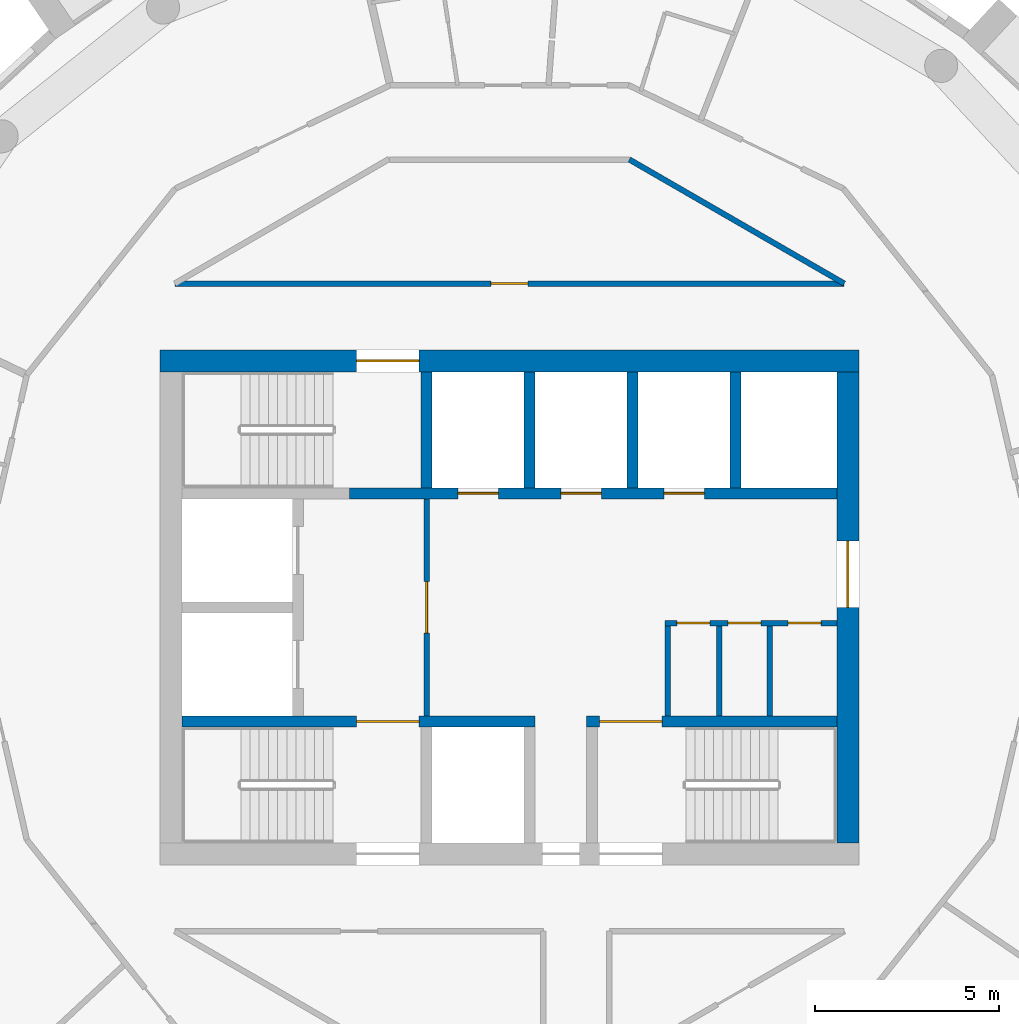
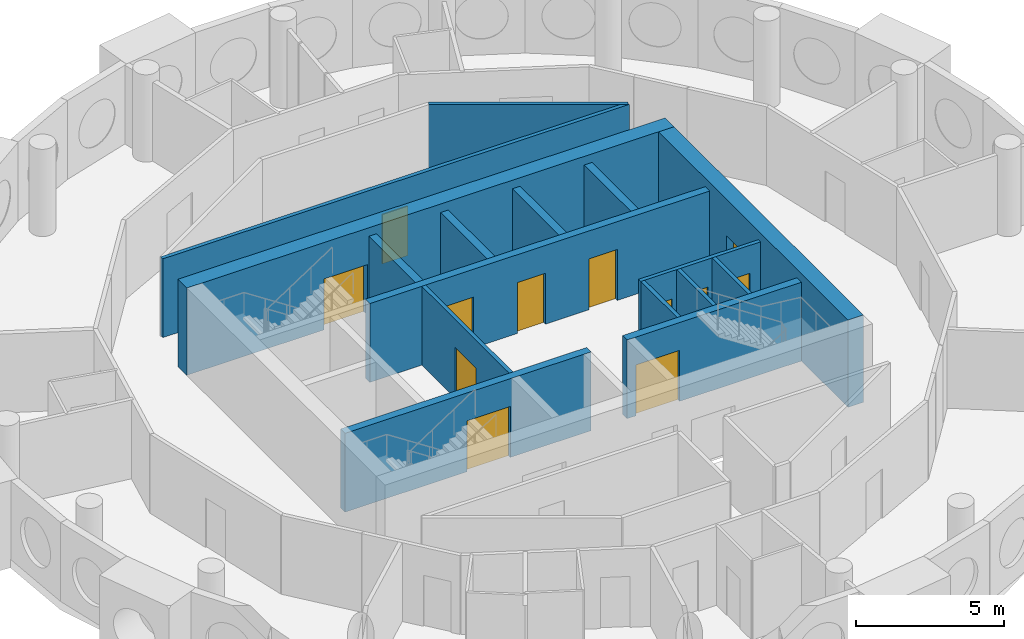
# One storey, part 8 of 13: 16 walls, 12 doors, 12 openings.
"""IFC4 building model written with IfcOpenShell, lengths in metres."""

import ifcopenshell
import ifcopenshell.guid

model = None  # the IFC model being written
_history = None  # IfcOwnerHistory: only IFC2X3 demands one
_inside = {}  # id of a spatial element -> (the spatial element, [elements in it])
_under = {}  # id of a project, library or spatial element -> (it, [spatial elements below it])
_declared = {}  # id of a project -> (the project, [libraries it declares])
_typed = {}  # id of a type object -> (the type object, [elements of that type])
_made_of = {}  # id of a material, layer set ... -> (it, [elements and type objects made of it])


def new_model(schema):
    """Start an empty IFC model of exactly this schema.

    Asked for "IFC4X3", IfcOpenShell would pick the latest addendum, in which some entities
    have other attributes; the version numbers below select the first issue.
    IFC2X3 requires an IfcOwnerHistory on every rooted entity: one is made here for all.
    """
    global model, _history
    if schema == "IFC4X3":
        model = ifcopenshell.file(schema_version=(4, 3, 0, 0))
    else:
        model = ifcopenshell.file(schema=schema)
    _inside.clear()
    _under.clear()
    _declared.clear()
    _typed.clear()
    _made_of.clear()
    _history = None
    if model.schema == "IFC2X3":
        org = make("IfcOrganization", Name="unknown")
        user = make(
            "IfcPersonAndOrganization",
            ThePerson=make("IfcPerson", FamilyName="unknown"),
            TheOrganization=org,
        )
        app = make(
            "IfcApplication",
            ApplicationDeveloper=org,
            Version="unknown",
            ApplicationFullName="unknown",
            ApplicationIdentifier="unknown",
        )
        _history = make(
            "IfcOwnerHistory",
            OwningUser=user,
            OwningApplication=app,
            ChangeAction="ADDED",
            CreationDate=0,
        )
    return model


def make(cls, **values):
    """One entity of the class cls with the attributes given. An attribute that is None is left unset."""
    return model.create_entity(
        cls, **{name: value for name, value in values.items() if value is not None}
    )


def rooted(cls, **values):
    """An entity with a GlobalId (a new one), such as an element, a storey or a relation."""
    return make(cls, GlobalId=ifcopenshell.guid.new(), OwnerHistory=_history, **values)


def si_unit(unit_type, name, prefix=None):
    """IfcSIUnit, for example si_unit("LENGTHUNIT", "METRE", prefix="MILLI")."""
    return make("IfcSIUnit", UnitType=unit_type, Prefix=prefix, Name=name)


def assignment(units):
    """IfcUnitAssignment: the units of a project."""
    return None if units is None else make("IfcUnitAssignment", Units=units)


def point(xyz):
    """IfcCartesianPoint."""
    return None if xyz is None else make("IfcCartesianPoint", Coordinates=xyz)


def direction(xyz):
    """IfcDirection."""
    return None if xyz is None else make("IfcDirection", DirectionRatios=xyz)


def frame(location, z_axis=None, x_axis=None):
    """IfcAxis2Placement3D, a coordinate frame: its origin and axes. An axis left out is left unset."""
    return make(
        "IfcAxis2Placement3D",
        Location=point(location),
        Axis=direction(z_axis),
        RefDirection=direction(x_axis),
    )


def frame_2d(location, x_axis=None):
    """IfcAxis2Placement2D, a coordinate frame in the plane: its origin and x axis."""
    return make(
        "IfcAxis2Placement2D", Location=point(location), RefDirection=direction(x_axis)
    )


def origin():
    """The frame at (0, 0, 0) with its axes left unset."""
    return frame((0.0, 0.0, 0.0))


def place(relative_to, where):
    """IfcLocalPlacement: puts the frame where relative to a parent placement (None: the world)."""
    return make(
        "IfcLocalPlacement", PlacementRelTo=relative_to, RelativePlacement=where
    )


def context(
    kind, dimensions, precision=None, world=None, true_north=None, identifier=None
):
    """IfcGeometricRepresentationContext, for example the 3D "Model" context."""
    return make(
        "IfcGeometricRepresentationContext",
        ContextIdentifier=identifier,
        ContextType=kind,
        CoordinateSpaceDimension=dimensions,
        Precision=precision,
        WorldCoordinateSystem=world,
        TrueNorth=true_north,
    )


def subcontext(parent, identifier, kind, view, scale=None):
    """IfcGeometricRepresentationSubContext, for example "Body" below "Model"."""
    return make(
        "IfcGeometricRepresentationSubContext",
        ContextIdentifier=identifier,
        ContextType=kind,
        ParentContext=parent,
        TargetScale=scale,
        TargetView=view,
    )


def project(units=None, contexts=None):
    """IfcProject with its units and contexts."""
    return rooted(
        "IfcProject",
        Name="project",
        RepresentationContexts=contexts,
        UnitsInContext=assignment(units),
    )


def spatial(cls, under=None, at=None, **own):
    """A site, building, storey or space (cls), placed at a placement, below another one or the project."""
    s = rooted(cls, ObjectPlacement=at, **own)
    if under is not None:
        _under.setdefault(under.id(), (under, []))[1].append(s)
    return s


def profile(cls, at=None, kind="AREA", **sizes):
    """A parametric profile (cls). Its sizes go by their IFC names, for example OverallWidth=200.0."""
    return make(cls, ProfileType=kind, Position=at, **sizes)


def rectangle(**sizes):
    """IfcRectangleProfileDef."""
    return profile("IfcRectangleProfileDef", **sizes)


def extrude(swept, where, along, depth):
    """IfcExtrudedAreaSolid: the profile swept, set in the frame where, extruded along a direction by depth."""
    return make(
        "IfcExtrudedAreaSolid",
        SweptArea=swept,
        Position=where,
        ExtrudedDirection=direction(along),
        Depth=depth,
    )


def shape(context_of_items, identifier, shape_type, items):
    """IfcShapeRepresentation: the items that make up one representation, for example the "Body"."""
    return make(
        "IfcShapeRepresentation",
        ContextOfItems=context_of_items,
        RepresentationIdentifier=identifier,
        RepresentationType=shape_type,
        Items=items,
    )


def material(Name=None, Category=None):
    """IfcMaterial."""
    return make("IfcMaterial", Name=Name, Category=Category)


def layer(
    of_material, thickness, ventilated=None, Name=None, Category=None, Priority=None
):
    """IfcMaterialLayer: one layer of a wall or slab, of a material (None: an air gap)."""
    return make(
        "IfcMaterialLayer",
        Material=of_material,
        LayerThickness=thickness,
        IsVentilated=ventilated,
        Name=Name,
        Category=Category,
        Priority=Priority,
    )


def layer_set(layers, Name=None):
    """IfcMaterialLayerSet."""
    return make("IfcMaterialLayerSet", MaterialLayers=layers, LayerSetName=Name)


def made_of(thing, what):
    """Note that an element or type object is made of a material, layer set ...; save() writes the relation."""
    if what is not None:
        _made_of.setdefault(what.id(), (what, []))[1].append(thing)
    return thing


def type_object(cls, material=None, **own):
    """A type object (cls), such as IfcWallType, which elements share."""
    return made_of(rooted(cls, **own), material)


def element(
    cls,
    number,
    at=None,
    inside=None,
    cuts=None,
    type_object=None,
    material=None,
    context=None,
    identifier="Body",
    shape_type=None,
    held_by="IfcProductDefinitionShape",
    body=None,
    shapes=None,
    **own,
):
    """One element of the class cls, such as IfcWall. Its Tag is "e" and its number.

    at: its placement. inside: the storey or other place that contains it. cuts: it is an
    opening in that element (IfcRelVoidsElement). A single representation is given by context,
    identifier, shape_type and body (its items); several are given by shapes. held_by: the class
    of the entity that holds the representations. save() writes the other relations.
    """
    e = rooted(cls, Tag="e%d" % number, ObjectPlacement=at, **own)
    if body is not None:
        shapes = [shape(context, identifier, shape_type, body)]
    if shapes is not None:
        e.Representation = make(held_by, Representations=shapes)
    if inside is not None:
        _inside.setdefault(inside.id(), (inside, []))[1].append(e)
    if cuts is not None:
        rooted(
            "IfcRelVoidsElement", RelatingBuildingElement=cuts, RelatedOpeningElement=e
        )
    if type_object is not None:
        _typed.setdefault(type_object.id(), (type_object, []))[1].append(e)
    return made_of(e, material)


def fill(opening, filler):
    """IfcRelFillsElement: the door or window that sits in an opening."""
    return rooted(
        "IfcRelFillsElement",
        RelatingOpeningElement=opening,
        RelatedBuildingElement=filler,
    )


def aggregate(whole, parts):
    """IfcRelAggregates: a whole, such as a stair, and the parts it consists of."""
    return rooted("IfcRelAggregates", RelatingObject=whole, RelatedObjects=parts)


def save(model, path):
    """Write the relations noted so far, then the file.

    IfcRelAggregates (storeys below a building ...), IfcRelContainedInSpatialStructure (elements
    in a storey), IfcRelDefinesByType, IfcRelAssociatesMaterial and IfcRelDeclares: one each for
    every whole, place, type object, material and project.
    """
    for whole, parts in _under.values():
        aggregate(whole, parts)
    for where, things in _inside.values():
        rooted(
            "IfcRelContainedInSpatialStructure",
            RelatedElements=things,
            RelatingStructure=where,
        )
    for kind, things in _typed.values():
        rooted("IfcRelDefinesByType", RelatedObjects=things, RelatingType=kind)
    for what, things in _made_of.values():
        rooted("IfcRelAssociatesMaterial", RelatedObjects=things, RelatingMaterial=what)
    for by, libraries in _declared.values():
        rooted("IfcRelDeclares", RelatingContext=by, RelatedDefinitions=libraries)
    model.write(path)


model = new_model("IFC4")

# Units and contexts
model_context = context("Model", 3, precision=1e-05, world=origin(), true_north=direction((0.0, 1.0)))
body_context = subcontext(model_context, "Body", "Model", "MODEL_VIEW")
ifc_project = project(units=[si_unit("LENGTHUNIT", "METRE"), si_unit("AREAUNIT", "SQUARE_METRE"), si_unit("VOLUMEUNIT", "CUBIC_METRE"), si_unit("PLANEANGLEUNIT", "RADIAN"), si_unit("MASSUNIT", "GRAM", prefix="KILO")], contexts=[model_context])

# Site, building, storey
site_placement = place(None, origin())
site = spatial("IfcSite", under=ifc_project, at=site_placement, CompositionType="ELEMENT")
building_placement = place(site_placement, origin())
building = spatial("IfcBuilding", under=site, at=building_placement, Name="Tracery Tower", CompositionType="ELEMENT")
storey_placement = place(building_placement, frame((0.0, 0.0, 298.199951171875)))
storey = spatial("IfcBuildingStorey", under=building, at=storey_placement, Name="L77", CompositionType="ELEMENT", Elevation=298.199951171875)

# Wall, opening, door
ifc_material_1 = material(Name="Plasterboard on steel studs", Category="steel")
ifc_layer_1 = layer(ifc_material_1, 0.14990234375)
ifc_layer_set_1 = layer_set([ifc_layer_1], Name="Core lobby partition 150")
wall_type_1 = type_object("IfcWallType", Name="Core lobby partition 150", PredefinedType="SOLIDWALL", material=ifc_layer_set_1)
wall_1_placement = place(storey_placement, frame((-2.25, -2.949951171875, 0.0), z_axis=(0.0, 0.0, 1.0), x_axis=(0.0, 1.0, 0.0)))
wall_1 = element("IfcWall", 1, at=wall_1_placement, inside=storey, type_object=wall_type_1, Name="L77 FF lobby E", PredefinedType="SOLIDWALL", context=body_context, shape_type="SweptSolid", body=[
    extrude(rectangle(XDim=5.89990234375, YDim=0.14990234375, at=frame_2d((2.949951171875, 0.0))), origin(), (0.0, 0.0, 1.0), 3.25),
])
opening_1_placement = place(wall_1_placement, frame((2.25, 0.0, 0.0)))
opening_1 = element("IfcOpeningElement", 2, at=opening_1_placement, cuts=wall_1, Name="Opening KD8", PredefinedType="OPENING", context=body_context, shape_type="SweptSolid", body=[
    extrude(rectangle(XDim=1.39990234375, YDim=2.10009765625, at=frame_2d((0.699951171875, 1.050048828125))), frame((0.0, 0.074951171875, 0.0), z_axis=(0.0, -1.0, 0.0), x_axis=(1.0, 0.0, 0.0)), (0.0, 0.0, 1.0), 0.14990234375),
])
ifc_material_2 = material(Name="Steel fire door", Category="steel")
door_type_1 = type_object("IfcDoorType", Name="Core lobby door 1400 double", OperationType="NOTDEFINED", PredefinedType="DOOR", material=ifc_material_2)
door_1_placement = place(opening_1_placement, origin())
door_1 = element("IfcDoor", 3, at=door_1_placement, inside=storey, type_object=door_type_1, Name="Fire-fighting lobby door", OperationType="DOUBLE_DOOR_SINGLE_SWING", OverallHeight=2.10009765625, OverallWidth=1.39990234375, PredefinedType="DOOR", context=body_context, shape_type="SweptSolid", body=[
    extrude(rectangle(XDim=1.39990234375, YDim=2.10009765625, at=frame_2d((0.699951171875, 1.050048828125))), frame((0.0, 0.02490234375, 0.0), z_axis=(0.0, -1.0, 0.0), x_axis=(1.0, 0.0, 0.0)), (0.0, 0.0, 1.0), 0.050048828125),
])
fill(opening_1, door_1)

# Wall
ifc_material_3 = material(Name="Plasterboard on steel studs", Category="steel")
ifc_layer_2 = layer(ifc_material_3, 0.14990234375)
ifc_layer_set_2 = layer_set([ifc_layer_2], Name="Core room partition 150")
wall_type_2 = type_object("IfcWallType", Name="Core room partition 150", PredefinedType="SOLIDWALL", material=ifc_layer_set_2)
wall_2_placement = place(storey_placement, frame((4.300048828125, -2.949951171875, 0.0), z_axis=(0.0, 0.0, 1.0), x_axis=(0.0, 1.0, 0.0)))
element("IfcWall", 4, at=wall_2_placement, inside=storey, type_object=wall_type_2, Name="L77 slot W", PredefinedType="SOLIDWALL", context=body_context, shape_type="SweptSolid", body=[
    extrude(rectangle(XDim=2.449951171875, YDim=0.14990234375, at=frame_2d((1.22509765625, 0.0))), origin(), (0.0, 0.0, 1.0), 3.25),
])

# Wall, openings, doors
wall_3_placement = place(storey_placement, frame((4.22509765625, -0.425048828125, 0.0), z_axis=(0.0, 0.0, 1.0), x_axis=(1.0, 0.0, 0.0)))
wall_3 = element("IfcWall", 5, at=wall_3_placement, inside=storey, type_object=wall_type_2, Name="L77 slot N", PredefinedType="SOLIDWALL", context=body_context, shape_type="SweptSolid", body=[
    extrude(rectangle(XDim=4.6748046875, YDim=0.14990234375, at=frame_2d((2.33740234375, 0.0))), origin(), (0.0, 0.0, 1.0), 3.25),
])
opening_2_placement = place(wall_3_placement, frame((0.324951171875, 0.0, 0.0)))
opening_2 = element("IfcOpeningElement", 6, at=opening_2_placement, cuts=wall_3, Name="Opening KD27", PredefinedType="OPENING", context=body_context, shape_type="SweptSolid", body=[
    extrude(rectangle(XDim=0.89990234375, YDim=2.10009765625, at=frame_2d((0.449951171875, 1.050048828125))), frame((0.0, 0.074951171875, 0.0), z_axis=(0.0, -1.0, 0.0), x_axis=(1.0, 0.0, 0.0)), (0.0, 0.0, 1.0), 0.14990234375),
])
opening_3_placement = place(wall_3_placement, frame((1.71240234375, 0.0, 0.0)))
opening_3 = element("IfcOpeningElement", 7, at=opening_3_placement, cuts=wall_3, Name="Opening KD26", PredefinedType="OPENING", context=body_context, shape_type="SweptSolid", body=[
    extrude(rectangle(XDim=0.89990234375, YDim=2.10009765625, at=frame_2d((0.449951171875, 1.050048828125))), frame((0.0, 0.074951171875, 0.0), z_axis=(0.0, -1.0, 0.0), x_axis=(1.0, 0.0, 0.0)), (0.0, 0.0, 1.0), 0.14990234375),
])
opening_4_placement = place(wall_3_placement, frame((3.35009765625, 0.0, 0.0)))
opening_4 = element("IfcOpeningElement", 8, at=opening_4_placement, cuts=wall_3, Name="Opening KD22", PredefinedType="OPENING", context=body_context, shape_type="SweptSolid", body=[
    extrude(rectangle(XDim=0.89990234375, YDim=2.10009765625, at=frame_2d((0.449951171875, 1.050048828125))), frame((0.0, 0.074951171875, 0.0), z_axis=(0.0, -1.0, 0.0), x_axis=(1.0, 0.0, 0.0)), (0.0, 0.0, 1.0), 0.14990234375),
])
ifc_material_4 = material(Name="Timber door leaf", Category="wood")
door_type_2 = type_object("IfcDoorType", Name="Core WC door 900", OperationType="NOTDEFINED", PredefinedType="DOOR", material=ifc_material_4)
door_2_placement = place(opening_4_placement, origin())
door_2 = element("IfcDoor", 9, at=door_2_placement, inside=storey, type_object=door_type_2, Name="Core door", OperationType="SINGLE_SWING_RIGHT", OverallHeight=2.10009765625, OverallWidth=0.89990234375, PredefinedType="DOOR", context=body_context, shape_type="SweptSolid", body=[
    extrude(rectangle(XDim=0.89990234375, YDim=2.10009765625, at=frame_2d((0.449951171875, 1.050048828125))), frame((0.0, 0.02490234375, 0.0), z_axis=(0.0, -1.0, 0.0), x_axis=(1.0, 0.0, 0.0)), (0.0, 0.0, 1.0), 0.050048828125),
])
fill(opening_4, door_2)
ifc_material_5 = material(Name="Timber door leaf", Category="wood")
door_type_3 = type_object("IfcDoorType", Name="Core store door 900", OperationType="NOTDEFINED", PredefinedType="DOOR", material=ifc_material_5)
door_3_placement = place(opening_2_placement, origin())
door_3 = element("IfcDoor", 10, at=door_3_placement, inside=storey, type_object=door_type_3, Name="Core door", OperationType="SINGLE_SWING_RIGHT", OverallHeight=2.10009765625, OverallWidth=0.89990234375, PredefinedType="DOOR", context=body_context, shape_type="SweptSolid", body=[
    extrude(rectangle(XDim=0.89990234375, YDim=2.10009765625, at=frame_2d((0.449951171875, 1.050048828125))), frame((0.0, 0.02490234375, 0.0), z_axis=(0.0, -1.0, 0.0), x_axis=(1.0, 0.0, 0.0)), (0.0, 0.0, 1.0), 0.050048828125),
])
fill(opening_2, door_3)
door_4_placement = place(opening_3_placement, origin())
door_4 = element("IfcDoor", 11, at=door_4_placement, inside=storey, type_object=door_type_3, Name="Core door", OperationType="SINGLE_SWING_LEFT", OverallHeight=2.10009765625, OverallWidth=0.89990234375, PredefinedType="DOOR", context=body_context, shape_type="SweptSolid", body=[
    extrude(rectangle(XDim=0.89990234375, YDim=2.10009765625, at=frame_2d((0.449951171875, 1.050048828125))), frame((0.0, 0.02490234375, 0.0), z_axis=(0.0, -1.0, 0.0), x_axis=(1.0, 0.0, 0.0)), (0.0, 0.0, 1.0), 0.050048828125),
])
fill(opening_3, door_4)

# Walls
for number, where, z_axis, x_axis, name in (
    (12, (5.699951171875, -2.949951171875, 0.0), (0.0, 0.0, 1.0), (0.0, 1.0, 0.0), "L77 slot sep 1"),
    (13, (7.074951171875, -2.949951171875, 0.0), (0.0, 0.0, 1.0), (0.0, 1.0, 0.0), "L77 slot sep 2"),
):
    element("IfcWall", number, at=place(storey_placement, frame(where, z_axis=z_axis, x_axis=x_axis)), inside=storey, type_object=wall_type_2, Name=name, PredefinedType="SOLIDWALL", context=body_context, shape_type="SweptSolid", body=[
        extrude(rectangle(XDim=2.449951171875, YDim=0.14990234375, at=frame_2d((1.22509765625, 0.0))), origin(), (0.0, 0.0, 1.0), 3.25),
    ])

# Wall, opening, door
ifc_material_6 = material(Name="Concrete C40/50", Category="concrete")
ifc_layer_3 = layer(ifc_material_6, 0.60009765625)
ifc_layer_set_3 = layer_set([ifc_layer_3], Name="Core wall 600 C40")
wall_type_3 = type_object("IfcWallType", Name="Core wall 600 C40", PredefinedType="SOLIDWALL", material=ifc_layer_set_3)
wall_4_placement = place(storey_placement, frame((-9.5, 6.699951171875, 0.0), z_axis=(0.0, 0.0, 1.0), x_axis=(1.0, 0.0, 0.0)))
wall_4 = element("IfcWall", 14, at=wall_4_placement, inside=storey, type_object=wall_type_3, Name="L77 outer N", PredefinedType="SOLIDWALL", context=body_context, shape_type="SweptSolid", body=[
    extrude(rectangle(XDim=19.0, YDim=0.60009765625, at=frame_2d((9.5, 0.0))), origin(), (0.0, 0.0, 1.0), 3.60009765625),
])
opening_5_placement = place(wall_4_placement, frame((5.35009765625, 0.0, 0.0)))
opening_5 = element("IfcOpeningElement", 15, at=opening_5_placement, cuts=wall_4, Name="Opening KD3", PredefinedType="OPENING", context=body_context, shape_type="SweptSolid", body=[
    extrude(rectangle(XDim=1.699951171875, YDim=2.10009765625, at=frame_2d((0.85009765625, 1.050048828125))), frame((0.0, 0.300048828125, 0.0), z_axis=(0.0, -1.0, 0.0), x_axis=(1.0, 0.0, 0.0)), (0.0, 0.0, 1.0), 0.60009765625),
])
ifc_material_7 = material(Name="Steel fire door", Category="steel")
door_type_4 = type_object("IfcDoorType", Name="Core stair door 1700 double", OperationType="NOTDEFINED", PredefinedType="DOOR", material=ifc_material_7)
door_5_placement = place(opening_5_placement, origin())
door_5 = element("IfcDoor", 16, at=door_5_placement, inside=storey, type_object=door_type_4, Name="Stair door ST3 exit", OperationType="DOUBLE_DOOR_SINGLE_SWING", OverallHeight=2.10009765625, OverallWidth=1.699951171875, PredefinedType="DOOR", context=body_context, shape_type="SweptSolid", body=[
    extrude(rectangle(XDim=1.699951171875, YDim=2.10009765625, at=frame_2d((0.85009765625, 1.050048828125))), frame((0.0, 0.02490234375, 0.0), z_axis=(0.0, -1.0, 0.0), x_axis=(1.0, 0.0, 0.0)), (0.0, 0.0, 1.0), 0.050048828125),
])
fill(opening_5, door_5)

wall_5_placement = place(storey_placement, frame((9.199951171875, -6.39990234375, 0.0), z_axis=(0.0, 0.0, 1.0), x_axis=(0.0, 1.0, 0.0)))
wall_5 = element("IfcWall", 17, at=wall_5_placement, inside=storey, type_object=wall_type_3, Name="L77 outer E", PredefinedType="SOLIDWALL", context=body_context, shape_type="SweptSolid", body=[
    extrude(rectangle(XDim=12.7998046875, YDim=0.60009765625, at=frame_2d((6.39990234375, 0.0))), origin(), (0.0, 0.0, 1.0), 3.60009765625),
])
opening_6_placement = place(wall_5_placement, frame((6.39990234375, 0.0, 0.0)))
opening_6 = element("IfcOpeningElement", 18, at=opening_6_placement, cuts=wall_5, Name="Opening KD13", PredefinedType="OPENING", context=body_context, shape_type="SweptSolid", body=[
    extrude(rectangle(XDim=1.800048828125, YDim=2.10009765625, at=frame_2d((0.89990234375, 1.050048828125))), frame((0.0, 0.300048828125, 0.0), z_axis=(0.0, -1.0, 0.0), x_axis=(1.0, 0.0, 0.0)), (0.0, 0.0, 1.0), 0.60009765625),
])
ifc_material_8 = material(Name="Steel fire door", Category="steel")
door_type_5 = type_object("IfcDoorType", Name="Core exit door 1800 double", OperationType="NOTDEFINED", PredefinedType="DOOR", material=ifc_material_8)
door_6_placement = place(opening_6_placement, origin())
door_6 = element("IfcDoor", 19, at=door_6_placement, inside=storey, type_object=door_type_5, Name="Core exit door", OperationType="DOUBLE_DOOR_SINGLE_SWING", OverallHeight=2.10009765625, OverallWidth=1.800048828125, PredefinedType="DOOR", context=body_context, shape_type="SweptSolid", body=[
    extrude(rectangle(XDim=1.800048828125, YDim=2.10009765625, at=frame_2d((0.89990234375, 1.050048828125))), frame((0.0, 0.02490234375, 0.0), z_axis=(0.0, -1.0, 0.0), x_axis=(1.0, 0.0, 0.0)), (0.0, 0.0, 1.0), 0.050048828125),
])
fill(opening_6, door_6)

ifc_material_9 = material(Name="Plasterboard on steel studs", Category="steel")
ifc_layer_4 = layer(ifc_material_9, 0.14990234375)
ifc_layer_set_4 = layer_set([ifc_layer_4], Name="Partition 150 corridor wall")
wall_type_4 = type_object("IfcWallType", Name="Partition 150 corridor wall", PredefinedType="PARTITIONING", material=ifc_layer_set_4)
wall_6_placement = place(storey_placement, frame((-9.092041015625, 8.800048828125, 0.0), z_axis=(0.0, 0.0, 1.0), x_axis=(1.0, 0.0, 0.0)))
wall_6 = element("IfcWall", 20, at=wall_6_placement, inside=storey, type_object=wall_type_4, Name="Corridor wall RC7-002", PredefinedType="PARTITIONING", context=body_context, shape_type="SweptSolid", body=[
    extrude(rectangle(XDim=18.192626953125, YDim=0.14990234375, at=frame_2d((9.09619140625, 0.0))), origin(), (0.0, 0.0, 1.0), 3.25),
])
opening_7_placement = place(wall_6_placement, frame((8.592041015625, 0.0, 0.0)))
opening_7 = element("IfcOpeningElement", 21, at=opening_7_placement, cuts=wall_6, Name="Opening RC7-01", PredefinedType="OPENING", context=body_context, shape_type="SweptSolid", body=[
    extrude(rectangle(XDim=1.0, YDim=2.0400390625, at=frame_2d((0.5, 1.02001953125))), frame((0.0, 0.074951171875, 0.0), z_axis=(0.0, -1.0, 0.0), x_axis=(1.0, 0.0, 0.0)), (0.0, 0.0, 1.0), 0.14990234375),
])
ifc_material_10 = material(Name="Timber door leaf", Category="wood")
door_type_6 = type_object("IfcDoorType", Name="Door communal room 1000", OperationType="NOTDEFINED", PredefinedType="DOOR", material=ifc_material_10)
door_7_placement = place(opening_7_placement, origin())
door_7 = element("IfcDoor", 22, at=door_7_placement, inside=storey, type_object=door_type_6, Name="Communal room door RC7-01", OperationType="SINGLE_SWING_RIGHT", OverallHeight=2.0400390625, OverallWidth=1.0, PredefinedType="DOOR", context=body_context, shape_type="SweptSolid", body=[
    extrude(rectangle(XDim=1.0, YDim=2.0400390625, at=frame_2d((0.5, 1.02001953125))), frame((0.0, 0.02490234375, 0.0), z_axis=(0.0, -1.0, 0.0), x_axis=(1.0, 0.0, 0.0)), (0.0, 0.0, 1.0), 0.050048828125),
])
fill(opening_7, door_7)

# Walls
wall_7_placement = place(storey_placement, frame((3.260986328125, 12.1708984375, 0.0), z_axis=(0.0, 0.0, 1.0), x_axis=(0.866066809554, -0.499928276245, 0.0)))
element("IfcWall", 23, at=wall_7_placement, inside=storey, type_object=wall_type_4, Name="Corridor wall RC7-024", PredefinedType="PARTITIONING", context=body_context, shape_type="SweptSolid", body=[
    extrude(rectangle(XDim=6.74267578125, YDim=0.14990234375, at=frame_2d((3.371337890625, 0.0))), origin(), (0.0, 0.0, 1.0), 3.25),
])
ifc_material_11 = material(Name="Concrete C40/50", Category="concrete")
ifc_layer_5 = layer(ifc_material_11, 0.300048828125)
ifc_layer_set_5 = layer_set([ifc_layer_5], Name="Shaft wall 300 C40")
wall_type_5 = type_object("IfcWallType", Name="Shaft wall 300 C40", PredefinedType="SOLIDWALL", material=ifc_layer_set_5)
for number, where, z_axis, x_axis, name in (
    (24, (0.550048828125, 3.25, 0.0), (0.0, 0.0, 1.0), (0.0, 1.0, 0.0), "L77 HR sep 1"),
    (25, (3.35009765625, 3.25, 0.0), (0.0, 0.0, 1.0), (0.0, 1.0, 0.0), "L77 HR sep 2"),
    (26, (6.14990234375, 3.25, 0.0), (0.0, 0.0, 1.0), (0.0, 1.0, 0.0), "L77 HR sep 3"),
):
    element("IfcWall", number, at=place(storey_placement, frame(where, z_axis=z_axis, x_axis=x_axis)), inside=storey, type_object=wall_type_5, Name=name, PredefinedType="SOLIDWALL", context=body_context, shape_type="SweptSolid", body=[
        extrude(rectangle(XDim=3.14990234375, YDim=0.300048828125, at=frame_2d((1.574951171875, 0.0))), origin(), (0.0, 0.0, 1.0), 3.25),
    ])

# Wall, opening, door
ifc_material_12 = material(Name="Concrete C40/50", Category="concrete")
ifc_layer_6 = layer(ifc_material_12, 0.300048828125)
ifc_layer_set_6 = layer_set([ifc_layer_6], Name="Stair wall 300 C40")
wall_type_6 = type_object("IfcWallType", Name="Stair wall 300 C40", PredefinedType="SOLIDWALL", material=ifc_layer_set_6)
wall_8_placement = place(storey_placement, frame((-8.89990234375, -3.10009765625, 0.0), z_axis=(0.0, 0.0, 1.0), x_axis=(1.0, 0.0, 0.0)))
wall_8 = element("IfcWall", 27, at=wall_8_placement, inside=storey, type_object=wall_type_6, Name="L77 row S", PredefinedType="SOLIDWALL", context=body_context, shape_type="SweptSolid", body=[
    extrude(rectangle(XDim=9.599853515625, YDim=0.300048828125, at=frame_2d((4.7998046875, 0.0))), origin(), (0.0, 0.0, 1.0), 3.25),
])
opening_8_placement = place(wall_8_placement, frame((4.75, 0.0, 0.0)))
opening_8 = element("IfcOpeningElement", 28, at=opening_8_placement, cuts=wall_8, Name="Opening KD3", PredefinedType="OPENING", context=body_context, shape_type="SweptSolid", body=[
    extrude(rectangle(XDim=1.699951171875, YDim=2.10009765625, at=frame_2d((0.85009765625, 1.050048828125))), frame((0.0, 0.14990234375, 0.0), z_axis=(0.0, -1.0, 0.0), x_axis=(1.0, 0.0, 0.0)), (0.0, 0.0, 1.0), 0.300048828125),
])
door_8_placement = place(opening_8_placement, origin())
door_8 = element("IfcDoor", 29, at=door_8_placement, inside=storey, type_object=door_type_4, Name="Stair door ST1", OperationType="DOUBLE_DOOR_SINGLE_SWING", OverallHeight=2.10009765625, OverallWidth=1.699951171875, PredefinedType="DOOR", context=body_context, shape_type="SweptSolid", body=[
    extrude(rectangle(XDim=1.699951171875, YDim=2.10009765625, at=frame_2d((0.85009765625, 1.050048828125))), frame((0.0, 0.02490234375, 0.0), z_axis=(0.0, -1.0, 0.0), x_axis=(1.0, 0.0, 0.0)), (0.0, 0.0, 1.0), 0.050048828125),
])
fill(opening_8, door_8)

wall_9_placement = place(storey_placement, frame((2.10009765625, -3.10009765625, 0.0), z_axis=(0.0, 0.0, 1.0), x_axis=(1.0, 0.0, 0.0)))
wall_9 = element("IfcWall", 30, at=wall_9_placement, inside=storey, type_object=wall_type_6, Name="L77 row S E", PredefinedType="SOLIDWALL", context=body_context, shape_type="SweptSolid", body=[
    extrude(rectangle(XDim=6.7998046875, YDim=0.300048828125, at=frame_2d((3.39990234375, 0.0))), origin(), (0.0, 0.0, 1.0), 3.25),
])
opening_9_placement = place(wall_9_placement, frame((0.35009765625, 0.0, 0.0)))
opening_9 = element("IfcOpeningElement", 31, at=opening_9_placement, cuts=wall_9, Name="Opening KD3", PredefinedType="OPENING", context=body_context, shape_type="SweptSolid", body=[
    extrude(rectangle(XDim=1.699951171875, YDim=2.10009765625, at=frame_2d((0.85009765625, 1.050048828125))), frame((0.0, 0.14990234375, 0.0), z_axis=(0.0, -1.0, 0.0), x_axis=(1.0, 0.0, 0.0)), (0.0, 0.0, 1.0), 0.300048828125),
])
door_9_placement = place(opening_9_placement, origin())
door_9 = element("IfcDoor", 32, at=door_9_placement, inside=storey, type_object=door_type_4, Name="Stair door ST2", OperationType="DOUBLE_DOOR_SINGLE_SWING", OverallHeight=2.10009765625, OverallWidth=1.699951171875, PredefinedType="DOOR", context=body_context, shape_type="SweptSolid", body=[
    extrude(rectangle(XDim=1.699951171875, YDim=2.10009765625, at=frame_2d((0.85009765625, 1.050048828125))), frame((0.0, 0.02490234375, 0.0), z_axis=(0.0, -1.0, 0.0), x_axis=(1.0, 0.0, 0.0)), (0.0, 0.0, 1.0), 0.050048828125),
])
fill(opening_9, door_9)

# Wall, openings, doors
wall_10_placement = place(storey_placement, frame((-4.35009765625, 3.10009765625, 0.0), z_axis=(0.0, 0.0, 1.0), x_axis=(1.0, 0.0, 0.0)))
wall_10 = element("IfcWall", 33, at=wall_10_placement, inside=storey, type_object=wall_type_6, Name="L77 row N", PredefinedType="SOLIDWALL", context=body_context, shape_type="SweptSolid", body=[
    extrude(rectangle(XDim=13.25, YDim=0.300048828125, at=frame_2d((6.625, 0.0))), origin(), (0.0, 0.0, 1.0), 3.25),
])
opening_10_placement = place(wall_10_placement, frame((2.949951171875, 0.0, 0.0)))
opening_10 = element("IfcOpeningElement", 34, at=opening_10_placement, cuts=wall_10, Name="Opening KD49", PredefinedType="OPENING", context=body_context, shape_type="SweptSolid", body=[
    extrude(rectangle(XDim=1.10009765625, YDim=2.10009765625, at=frame_2d((0.550048828125, 1.050048828125))), frame((0.0, 0.14990234375, 0.0), z_axis=(0.0, -1.0, 0.0), x_axis=(1.0, 0.0, 0.0)), (0.0, 0.0, 1.0), 0.300048828125),
])
opening_11_placement = place(wall_10_placement, frame((5.75, 0.0, 0.0)))
opening_11 = element("IfcOpeningElement", 35, at=opening_11_placement, cuts=wall_10, Name="Opening KD50", PredefinedType="OPENING", context=body_context, shape_type="SweptSolid", body=[
    extrude(rectangle(XDim=1.10009765625, YDim=2.10009765625, at=frame_2d((0.550048828125, 1.050048828125))), frame((0.0, 0.14990234375, 0.0), z_axis=(0.0, -1.0, 0.0), x_axis=(1.0, 0.0, 0.0)), (0.0, 0.0, 1.0), 0.300048828125),
])
opening_12_placement = place(wall_10_placement, frame((8.550048828125, 0.0, 0.0)))
opening_12 = element("IfcOpeningElement", 36, at=opening_12_placement, cuts=wall_10, Name="Opening KD49", PredefinedType="OPENING", context=body_context, shape_type="SweptSolid", body=[
    extrude(rectangle(XDim=1.10009765625, YDim=2.10009765625, at=frame_2d((0.550048828125, 1.050048828125))), frame((0.0, 0.14990234375, 0.0), z_axis=(0.0, -1.0, 0.0), x_axis=(1.0, 0.0, 0.0)), (0.0, 0.0, 1.0), 0.300048828125),
])
ifc_material_13 = material(Name="Steel fire door", Category="steel")
door_type_7 = type_object("IfcDoorType", Name="Landing door 1100", OperationType="NOTDEFINED", PredefinedType="DOOR", material=ifc_material_13)
door_10_placement = place(opening_10_placement, origin())
door_10 = element("IfcDoor", 37, at=door_10_placement, inside=storey, type_object=door_type_7, Name="Landing door HR1", OperationType="SLIDING_TO_LEFT", OverallHeight=2.10009765625, OverallWidth=1.10009765625, PredefinedType="DOOR", context=body_context, shape_type="SweptSolid", body=[
    extrude(rectangle(XDim=1.10009765625, YDim=2.10009765625, at=frame_2d((0.550048828125, 1.050048828125))), frame((0.0, 0.02490234375, 0.0), z_axis=(0.0, -1.0, 0.0), x_axis=(1.0, 0.0, 0.0)), (0.0, 0.0, 1.0), 0.050048828125),
])
fill(opening_10, door_10)
door_11_placement = place(opening_11_placement, origin())
door_11 = element("IfcDoor", 38, at=door_11_placement, inside=storey, type_object=door_type_7, Name="Landing door HR2", OperationType="SLIDING_TO_RIGHT", OverallHeight=2.10009765625, OverallWidth=1.10009765625, PredefinedType="DOOR", context=body_context, shape_type="SweptSolid", body=[
    extrude(rectangle(XDim=1.10009765625, YDim=2.10009765625, at=frame_2d((0.550048828125, 1.050048828125))), frame((0.0, 0.02490234375, 0.0), z_axis=(0.0, -1.0, 0.0), x_axis=(1.0, 0.0, 0.0)), (0.0, 0.0, 1.0), 0.050048828125),
])
fill(opening_11, door_11)
door_12_placement = place(opening_12_placement, origin())
door_12 = element("IfcDoor", 39, at=door_12_placement, inside=storey, type_object=door_type_7, Name="Landing door HR3", OperationType="SLIDING_TO_LEFT", OverallHeight=2.10009765625, OverallWidth=1.10009765625, PredefinedType="DOOR", context=body_context, shape_type="SweptSolid", body=[
    extrude(rectangle(XDim=1.10009765625, YDim=2.10009765625, at=frame_2d((0.550048828125, 1.050048828125))), frame((0.0, 0.02490234375, 0.0), z_axis=(0.0, -1.0, 0.0), x_axis=(1.0, 0.0, 0.0)), (0.0, 0.0, 1.0), 0.050048828125),
])
fill(opening_12, door_12)

# Wall
wall_11_placement = place(storey_placement, frame((-2.25, 3.25, 0.0), z_axis=(0.0, 0.0, 1.0), x_axis=(0.0, 1.0, 0.0)))
element("IfcWall", 40, at=wall_11_placement, inside=storey, type_object=wall_type_6, Name="L77 ST3 E", PredefinedType="SOLIDWALL", context=body_context, shape_type="SweptSolid", body=[
    extrude(rectangle(XDim=3.14990234375, YDim=0.300048828125, at=frame_2d((1.574951171875, 0.0))), origin(), (0.0, 0.0, 1.0), 3.25),
])

save(model, "model.ifc")
